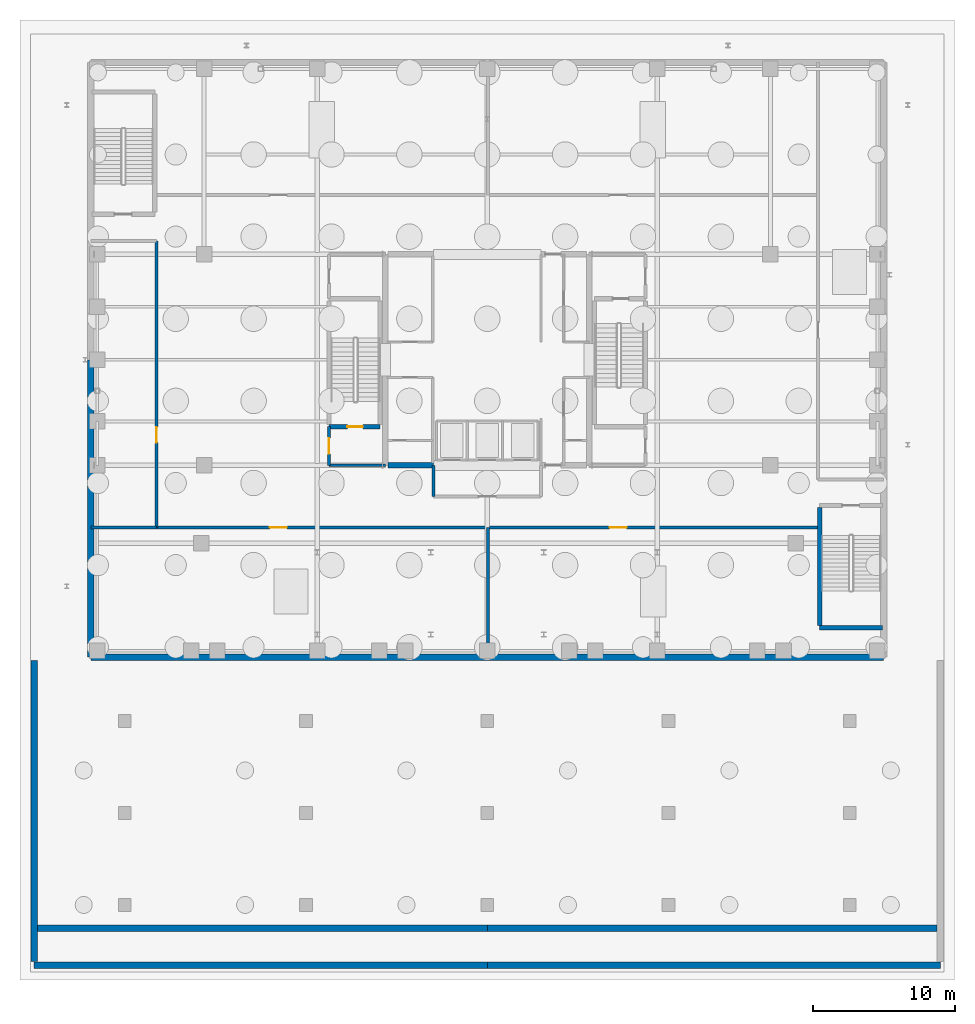
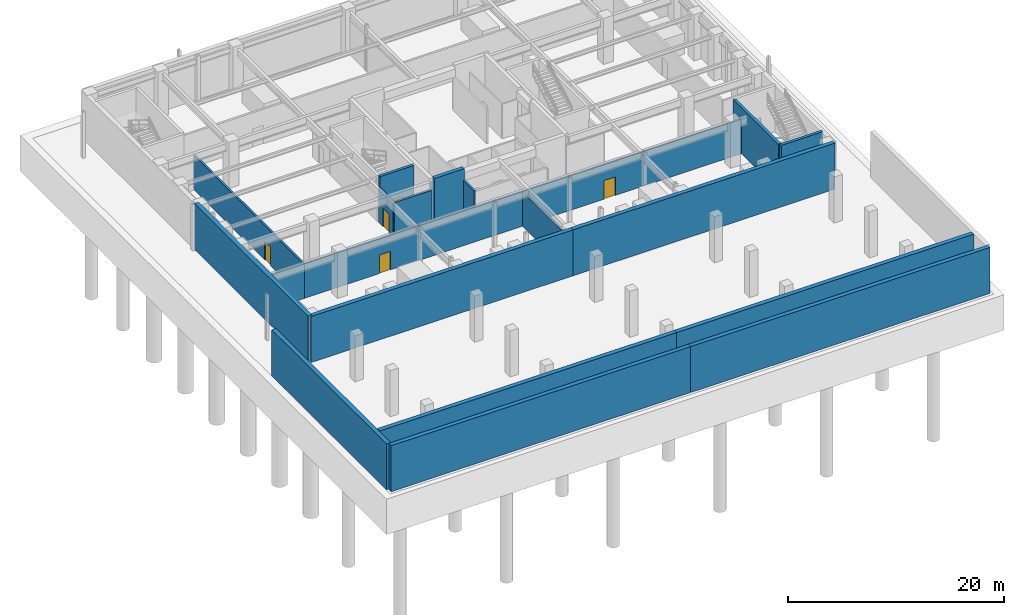
# One storey, part 11 of 18: 19 walls, 5 doors, 5 openings.
"""IFC4 building model written with IfcOpenShell, lengths in metres."""

from ifc_helpers import new_model, si_unit, direction, frame, frame_2d, origin, place, context, subcontext, project, spatial, rectangle, extrude, material, layer, layer_set, type_object, element, fill, save


model = new_model("IFC4")

# Units and contexts
model_context = context("Model", 3, precision=1e-05, world=origin(), true_north=direction((0.0, 1.0)))
body_context = subcontext(model_context, "Body", "Model", "MODEL_VIEW")
ifc_project = project(units=[si_unit("LENGTHUNIT", "METRE"), si_unit("AREAUNIT", "SQUARE_METRE"), si_unit("VOLUMEUNIT", "CUBIC_METRE"), si_unit("PLANEANGLEUNIT", "RADIAN"), si_unit("MASSUNIT", "GRAM", prefix="KILO")], contexts=[model_context])

# Site, building, storey
site_placement = place(None, origin())
site = spatial("IfcSite", under=ifc_project, at=site_placement, CompositionType="ELEMENT")
building_placement = place(site_placement, origin())
building = spatial("IfcBuilding", under=site, at=building_placement, Name="Veldorina Hangang Commons", CompositionType="ELEMENT")
storey_placement = place(building_placement, frame((0.0, 0.0, -10.39990234375)))
storey = spatial("IfcBuildingStorey", under=building, at=storey_placement, Name="B02", CompositionType="ELEMENT", Elevation=-10.39990234375)

# Walls
ifc_material_1 = material(Name="Concrete C70/85", Category="concrete")
ifc_layer_1 = layer(ifc_material_1, 0.39990234375)
ifc_layer_set_1 = layer_set([ifc_layer_1], Name="Concrete C70/85")
wall_type_1 = type_object("IfcWallType", Name="CW-RC400-C70", PredefinedType="SHEAR", material=ifc_layer_set_1)
wall_1_placement = place(storey_placement, frame((25.0, 16.550048828125, 0.0), z_axis=(0.0, 0.0, 1.0), x_axis=(1.0, 0.0, 0.0)))
element("IfcWall", 1, at=wall_1_placement, inside=storey, type_object=wall_type_1, Name="B02 south-west core shear wall", PredefinedType="SHEAR", context=body_context, shape_type="SweptSolid", body=[
    extrude(rectangle(XDim=3.199951171875, YDim=0.39990234375, at=frame_2d((1.60009765625, 0.0))), origin(), (0.0, 0.0, 1.0), 5.199951171875),
])
ifc_material_2 = material(Name="Concrete C45/55", Category="concrete")
ifc_layer_2 = layer(ifc_material_2, 0.449951171875)
ifc_layer_set_2 = layer_set([ifc_layer_2], Name="Concrete C45/55")
wall_type_2 = type_object("IfcWallType", Name="RW-BASE-450", PredefinedType="USERDEFINED", material=ifc_layer_set_2)
for number, where, z_axis, x_axis, name in (
    (2, (4.0, 3.0, 0.0), (0.0, 0.0, 1.0), (1.0, 0.0, 0.0), "B02 perimeter retaining wall S1"),
    (3, (32.0, 3.0, 0.0), (0.0, 0.0, 1.0), (1.0, 0.0, 0.0), "B02 perimeter retaining wall S2"),
):
    element("IfcWall", number, at=place(storey_placement, frame(where, z_axis=z_axis, x_axis=x_axis)), inside=storey, type_object=wall_type_2, Name=name, ObjectType="RETAININGWALL", PredefinedType="USERDEFINED", context=body_context, shape_type="SweptSolid", body=[
        extrude(rectangle(XDim=28.0, YDim=0.449951171875, at=frame_2d((14.0, 0.0))), origin(), (0.0, 0.0, 1.0), 5.199951171875),
    ])
wall_2_placement = place(storey_placement, frame((4.0, 24.0, 0.0), z_axis=(0.0, 0.0, 1.0), x_axis=(0.0, -1.0, 0.0)))
element("IfcWall", 4, at=wall_2_placement, inside=storey, type_object=wall_type_2, Name="B02 perimeter retaining wall W2", ObjectType="RETAININGWALL", PredefinedType="USERDEFINED", context=body_context, shape_type="SweptSolid", body=[
    extrude(rectangle(XDim=21.0, YDim=0.449951171875, at=frame_2d((10.5, 0.0))), origin(), (0.0, 0.0, 1.0), 5.199951171875),
])
for number, where, z_axis, x_axis, name in (
    (5, (0.0, -18.75, 0.0), (0.0, 0.0, 1.0), (1.0, 0.0, 0.0), "B02 waterfront quay retaining wall QS1"),
    (6, (32.0, -18.75, 0.0), (0.0, 0.0, 1.0), (1.0, 0.0, 0.0), "B02 waterfront quay retaining wall QS2"),
):
    element("IfcWall", number, at=place(storey_placement, frame(where, z_axis=z_axis, x_axis=x_axis)), inside=storey, type_object=wall_type_2, Name=name, ObjectType="RETAININGWALL", PredefinedType="USERDEFINED", context=body_context, shape_type="SweptSolid", body=[
        extrude(rectangle(XDim=32.0, YDim=0.449951171875, at=frame_2d((16.0, 0.0))), origin(), (0.0, 0.0, 1.0), 5.199951171875),
    ])
for number, where, z_axis, x_axis, name in (
    (7, (0.25, -16.14990234375, 0.0), (0.0, 0.0, 1.0), (1.0, 0.0, 0.0), "B02 waterfront quay retaining wall QN1"),
    (8, (32.0, -16.14990234375, 0.0), (0.0, 0.0, 1.0), (1.0, 0.0, 0.0), "B02 waterfront quay retaining wall QN2"),
):
    element("IfcWall", number, at=place(storey_placement, frame(where, z_axis=z_axis, x_axis=x_axis)), inside=storey, type_object=wall_type_2, Name=name, ObjectType="RETAININGWALL", PredefinedType="USERDEFINED", context=body_context, shape_type="SweptSolid", body=[
        extrude(rectangle(XDim=31.75, YDim=0.449951171875, at=frame_2d((15.875, 0.0))), origin(), (0.0, 0.0, 1.0), 5.199951171875),
    ])
wall_3_placement = place(storey_placement, frame((0.0, -18.5, 0.0), z_axis=(0.0, 0.0, 1.0), x_axis=(0.0, 1.0, 0.0)))
element("IfcWall", 9, at=wall_3_placement, inside=storey, type_object=wall_type_2, Name="B02 waterfront quay retaining wall QW", ObjectType="RETAININGWALL", PredefinedType="USERDEFINED", context=body_context, shape_type="SweptSolid", body=[
    extrude(rectangle(XDim=21.25, YDim=0.449951171875, at=frame_2d((10.625, 0.0))), origin(), (0.0, 0.0, 1.0), 5.199951171875),
])

# Wall, opening, door
ifc_material_3 = material(Name="Concrete C50/60", Category="concrete")
ifc_layer_3 = layer(ifc_material_3, 0.300048828125)
ifc_layer_set_3 = layer_set([ifc_layer_3], Name="Concrete C50/60")
wall_type_3 = type_object("IfcWallType", Name="SW-STAIR-300", PredefinedType="SHEAR", material=ifc_layer_set_3)
wall_4_placement = place(storey_placement, frame((20.820068359375, 19.280029296875, 0.0), z_axis=(0.0, 0.0, 1.0), x_axis=(1.0, 0.0, 0.0)))
wall_4 = element("IfcWall", 10, at=wall_4_placement, inside=storey, type_object=wall_type_3, Name="B02 ST1 south stair shear wall", PredefinedType="SHEAR", context=body_context, shape_type="SweptSolid", body=[
    extrude(rectangle(XDim=3.599853515625, YDim=0.300048828125, at=frame_2d((1.7998046875, 0.0))), origin(), (0.0, 0.0, 1.0), 5.199951171875),
])
opening_1_placement = place(wall_4_placement, frame((1.300048828125, 0.0, 0.0)))
opening_1 = element("IfcOpeningElement", 11, at=opening_1_placement, cuts=wall_4, Name="Opening D-08", PredefinedType="OPENING", context=body_context, shape_type="SweptSolid", body=[
    extrude(rectangle(XDim=1.10009765625, YDim=2.10009765625, at=frame_2d((0.550048828125, 1.050048828125))), frame((0.0, 0.16015625, 0.0), z_axis=(0.0, -1.0, 0.0), x_axis=(1.0, 0.0, 0.0)), (0.0, 0.0, 1.0), 0.320068359375),
])
ifc_material_4 = material(Name="Steel Fire-Rated Smoke Seal", Category="steel")
door_type_1 = type_object("IfcDoorType", Name="DR-FIRE-1100", OperationType="SINGLE_SWING_RIGHT", PredefinedType="DOOR", material=ifc_material_4)
door_1_placement = place(opening_1_placement, origin())
door_1 = element("IfcDoor", 12, at=door_1_placement, inside=storey, type_object=door_type_1, Name="B02 Special Escape Stair ST-1 door", OperationType="SINGLE_SWING_LEFT", OverallHeight=2.10009765625, OverallWidth=1.10009765625, PredefinedType="DOOR", context=body_context, shape_type="SweptSolid", body=[
    extrude(rectangle(XDim=1.10009765625, YDim=2.10009765625, at=frame_2d((0.550048828125, 1.050048828125))), frame((0.0, 0.02490234375, 0.0), z_axis=(0.0, -1.0, 0.0), x_axis=(1.0, 0.0, 0.0)), (0.0, 0.0, 1.0), 0.050048828125),
])
fill(opening_1, door_1)

# Walls
wall_5_placement = place(storey_placement, frame((55.47998046875, 5.22998046875, 0.0), z_axis=(0.0, 0.0, 1.0), x_axis=(0.0, 1.0, 0.0)))
element("IfcWall", 13, at=wall_5_placement, inside=storey, type_object=wall_type_3, Name="B02 STP2 W stair shear wall", PredefinedType="SHEAR", context=body_context, shape_type="SweptSolid", body=[
    extrude(rectangle(XDim=8.340087890625, YDim=0.300048828125, at=frame_2d((4.169921875, 0.0))), origin(), (0.0, 0.0, 1.0), 5.199951171875),
])
wall_6_placement = place(storey_placement, frame((55.47998046875, 5.080078125, 0.0), z_axis=(0.0, 0.0, 1.0), x_axis=(1.0, 0.0, 0.0)))
element("IfcWall", 14, at=wall_6_placement, inside=storey, type_object=wall_type_3, Name="B02 STP2 S stair shear wall", PredefinedType="SHEAR", context=body_context, shape_type="SweptSolid", body=[
    extrude(rectangle(XDim=4.43994140625, YDim=0.300048828125, at=frame_2d((2.219970703125, 0.0))), origin(), (0.0, 0.0, 1.0), 5.199951171875),
])

# Wall, opening, door
ifc_material_5 = material(Name="Concrete Blockwork Fire Wall C30/37", Category="masonry")
ifc_layer_4 = layer(ifc_material_5, 0.199951171875)
ifc_layer_set_4 = layer_set([ifc_layer_4], Name="Concrete Blockwork Fire Wall C30/37")
wall_type_4 = type_object("IfcWallType", Name="WL-FIRE-200", PredefinedType="SOLIDWALL", material=ifc_layer_set_4)
wall_7_placement = place(storey_placement, frame((20.820068359375, 16.550048828125, 0.0), z_axis=(0.0, 0.0, 1.0), x_axis=(0.0, 1.0, 0.0)))
wall_7 = element("IfcWall", 15, at=wall_7_placement, inside=storey, type_object=wall_type_4, Name="B02 West vestibule outer wall 001", PredefinedType="SOLIDWALL", context=body_context, shape_type="SweptSolid", body=[
    extrude(rectangle(XDim=2.72998046875, YDim=0.199951171875, at=frame_2d((1.364990234375, 0.0))), origin(), (0.0, 0.0, 1.0), 3.89990234375),
])
opening_2_placement = place(wall_7_placement, frame((0.81494140625, 0.0, 0.0)))
opening_2 = element("IfcOpeningElement", 16, at=opening_2_placement, cuts=wall_7, Name="Opening D-08", PredefinedType="OPENING", context=body_context, shape_type="SweptSolid", body=[
    extrude(rectangle(XDim=1.10009765625, YDim=2.10009765625, at=frame_2d((0.550048828125, 1.050048828125))), frame((0.0, 0.10986328125, 0.0), z_axis=(0.0, -1.0, 0.0), x_axis=(1.0, 0.0, 0.0)), (0.0, 0.0, 1.0), 0.219970703125),
])
door_2_placement = place(opening_2_placement, origin())
door_2 = element("IfcDoor", 17, at=door_2_placement, inside=storey, type_object=door_type_1, Name="B02 West vestibule west door 001", OperationType="SINGLE_SWING_LEFT", OverallHeight=2.10009765625, OverallWidth=1.10009765625, PredefinedType="DOOR", context=body_context, shape_type="SweptSolid", body=[
    extrude(rectangle(XDim=1.10009765625, YDim=2.10009765625, at=frame_2d((0.550048828125, 1.050048828125))), frame((0.0, 0.02490234375, 0.0), z_axis=(0.0, -1.0, 0.0), x_axis=(1.0, 0.0, 0.0)), (0.0, 0.0, 1.0), 0.050048828125),
])
fill(opening_2, door_2)

# Walls
wall_8_placement = place(storey_placement, frame((20.820068359375, 16.550048828125, 0.0), z_axis=(0.0, 0.0, 1.0), x_axis=(1.0, 0.0, 0.0)))
element("IfcWall", 18, at=wall_8_placement, inside=storey, type_object=wall_type_4, Name="B02 West vestibule south wall 002", PredefinedType="SOLIDWALL", context=body_context, shape_type="SweptSolid", body=[
    extrude(rectangle(XDim=3.97998046875, YDim=0.199951171875, at=frame_2d((1.989990234375, 0.0))), origin(), (0.0, 0.0, 1.0), 3.89990234375),
])
wall_9_placement = place(storey_placement, frame((28.199951171875, 14.35009765625, 0.0), z_axis=(0.0, 0.0, 1.0), x_axis=(0.0, 1.0, 0.0)))
element("IfcWall", 19, at=wall_9_placement, inside=storey, type_object=wall_type_4, Name="B02 FF lobby west wall 012", PredefinedType="SOLIDWALL", context=body_context, shape_type="SweptSolid", body=[
    extrude(rectangle(XDim=2.199951171875, YDim=0.199951171875, at=frame_2d((1.10009765625, 0.0))), origin(), (0.0, 0.0, 1.0), 3.89990234375),
])

# Wall, openings, doors
wall_10_placement = place(storey_placement, frame((8.64990234375, 12.14990234375, 0.0), z_axis=(0.0, 0.0, 1.0), x_axis=(1.0, 0.0, 0.0)))
wall_10 = element("IfcWall", 20, at=wall_10_placement, inside=storey, type_object=wall_type_4, Name="B02 B02 south corridor wall 032", PredefinedType="SOLIDWALL", context=body_context, shape_type="SweptSolid", body=[
    extrude(rectangle(XDim=46.7001953125, YDim=0.199951171875, at=frame_2d((23.35009765625, 0.0))), origin(), (0.0, 0.0, 1.0), 3.89990234375),
])
opening_3_placement = place(wall_10_placement, frame((8.0, 0.0, 0.0)))
opening_3 = element("IfcOpeningElement", 21, at=opening_3_placement, cuts=wall_10, Name="Opening D-10", PredefinedType="OPENING", context=body_context, shape_type="SweptSolid", body=[
    extrude(rectangle(XDim=1.199951171875, YDim=2.10009765625, at=frame_2d((0.60009765625, 1.050048828125))), frame((0.0, 0.10986328125, 0.0), z_axis=(0.0, -1.0, 0.0), x_axis=(1.0, 0.0, 0.0)), (0.0, 0.0, 1.0), 0.219970703125),
])
opening_4_placement = place(wall_10_placement, frame((32.0, 0.0, 0.0)))
opening_4 = element("IfcOpeningElement", 22, at=opening_4_placement, cuts=wall_10, Name="Opening D-10", PredefinedType="OPENING", context=body_context, shape_type="SweptSolid", body=[
    extrude(rectangle(XDim=1.199951171875, YDim=2.10009765625, at=frame_2d((0.60009765625, 1.050048828125))), frame((0.0, 0.10986328125, 0.0), z_axis=(0.0, -1.0, 0.0), x_axis=(1.0, 0.0, 0.0)), (0.0, 0.0, 1.0), 0.219970703125),
])
ifc_material_6 = material(Name="Steel Heavy-Duty Acoustic Plant", Category="steel")
door_type_2 = type_object("IfcDoorType", Name="DR-PLANT-1200", OperationType="SINGLE_SWING_RIGHT", PredefinedType="DOOR", material=ifc_material_6)
door_3_placement = place(opening_3_placement, origin())
door_3 = element("IfcDoor", 23, at=door_3_placement, inside=storey, type_object=door_type_2, Name="B02 Water tank room door 017", OperationType="SINGLE_SWING_LEFT", OverallHeight=2.10009765625, OverallWidth=1.199951171875, PredefinedType="DOOR", context=body_context, shape_type="SweptSolid", body=[
    extrude(rectangle(XDim=1.199951171875, YDim=2.10009765625, at=frame_2d((0.60009765625, 1.050048828125))), frame((0.0, 0.02490234375, 0.0), z_axis=(0.0, -1.0, 0.0), x_axis=(1.0, 0.0, 0.0)), (0.0, 0.0, 1.0), 0.050048828125),
])
fill(opening_3, door_3)
door_4_placement = place(opening_4_placement, origin())
door_4 = element("IfcDoor", 24, at=door_4_placement, inside=storey, type_object=door_type_2, Name="B02 Geothermal plant door 018", OperationType="SINGLE_SWING_RIGHT", OverallHeight=2.10009765625, OverallWidth=1.199951171875, PredefinedType="DOOR", context=body_context, shape_type="SweptSolid", body=[
    extrude(rectangle(XDim=1.199951171875, YDim=2.10009765625, at=frame_2d((0.60009765625, 1.050048828125))), frame((0.0, 0.02490234375, 0.0), z_axis=(0.0, -1.0, 0.0), x_axis=(1.0, 0.0, 0.0)), (0.0, 0.0, 1.0), 0.050048828125),
])
fill(opening_4, door_4)

# Wall, opening, door
wall_11_placement = place(storey_placement, frame((8.64990234375, 12.14990234375, 0.0), z_axis=(0.0, 0.0, 1.0), x_axis=(0.0, 1.0, 0.0)))
wall_11 = element("IfcWall", 25, at=wall_11_placement, inside=storey, type_object=wall_type_4, Name="B02 B02 west corridor wall 033", PredefinedType="SOLIDWALL", context=body_context, shape_type="SweptSolid", body=[
    extrude(rectangle(XDim=20.25, YDim=0.199951171875, at=frame_2d((10.125, 0.0))), origin(), (0.0, 0.0, 1.0), 3.89990234375),
])
opening_5_placement = place(wall_11_placement, frame((6.0, 0.0, 0.0)))
opening_5 = element("IfcOpeningElement", 26, at=opening_5_placement, cuts=wall_11, Name="Opening D-08", PredefinedType="OPENING", context=body_context, shape_type="SweptSolid", body=[
    extrude(rectangle(XDim=1.10009765625, YDim=2.10009765625, at=frame_2d((0.550048828125, 1.050048828125))), frame((0.0, 0.10986328125, 0.0), z_axis=(0.0, -1.0, 0.0), x_axis=(1.0, 0.0, 0.0)), (0.0, 0.0, 1.0), 0.219970703125),
])
door_5_placement = place(opening_5_placement, origin())
door_5 = element("IfcDoor", 27, at=door_5_placement, inside=storey, type_object=door_type_1, Name="B02 Workshop door 019", OperationType="SINGLE_SWING_LEFT", OverallHeight=2.10009765625, OverallWidth=1.10009765625, PredefinedType="DOOR", context=body_context, shape_type="SweptSolid", body=[
    extrude(rectangle(XDim=1.10009765625, YDim=2.10009765625, at=frame_2d((0.550048828125, 1.050048828125))), frame((0.0, 0.02490234375, 0.0), z_axis=(0.0, -1.0, 0.0), x_axis=(1.0, 0.0, 0.0)), (0.0, 0.0, 1.0), 0.050048828125),
])
fill(opening_5, door_5)

# Walls
wall_12_placement = place(storey_placement, frame((4.0, 12.14990234375, 0.0), z_axis=(0.0, 0.0, 1.0), x_axis=(1.0, 0.0, 0.0)))
element("IfcWall", 28, at=wall_12_placement, inside=storey, type_object=wall_type_4, Name="B02 B02 SW tie wall 035", PredefinedType="SOLIDWALL", context=body_context, shape_type="SweptSolid", body=[
    extrude(rectangle(XDim=4.64990234375, YDim=0.199951171875, at=frame_2d((2.324951171875, 0.0))), origin(), (0.0, 0.0, 1.0), 3.89990234375),
])
wall_13_placement = place(storey_placement, frame((32.050048828125, 3.0, 0.0), z_axis=(0.0, 0.0, 1.0), x_axis=(0.0, 1.0, 0.0)))
element("IfcWall", 29, at=wall_13_placement, inside=storey, type_object=wall_type_4, Name="B02 B02 south split 037", PredefinedType="SOLIDWALL", context=body_context, shape_type="SweptSolid", body=[
    extrude(rectangle(XDim=9.14990234375, YDim=0.199951171875, at=frame_2d((4.574951171875, 0.0))), origin(), (0.0, 0.0, 1.0), 3.89990234375),
])

save(model, "model.ifc")
